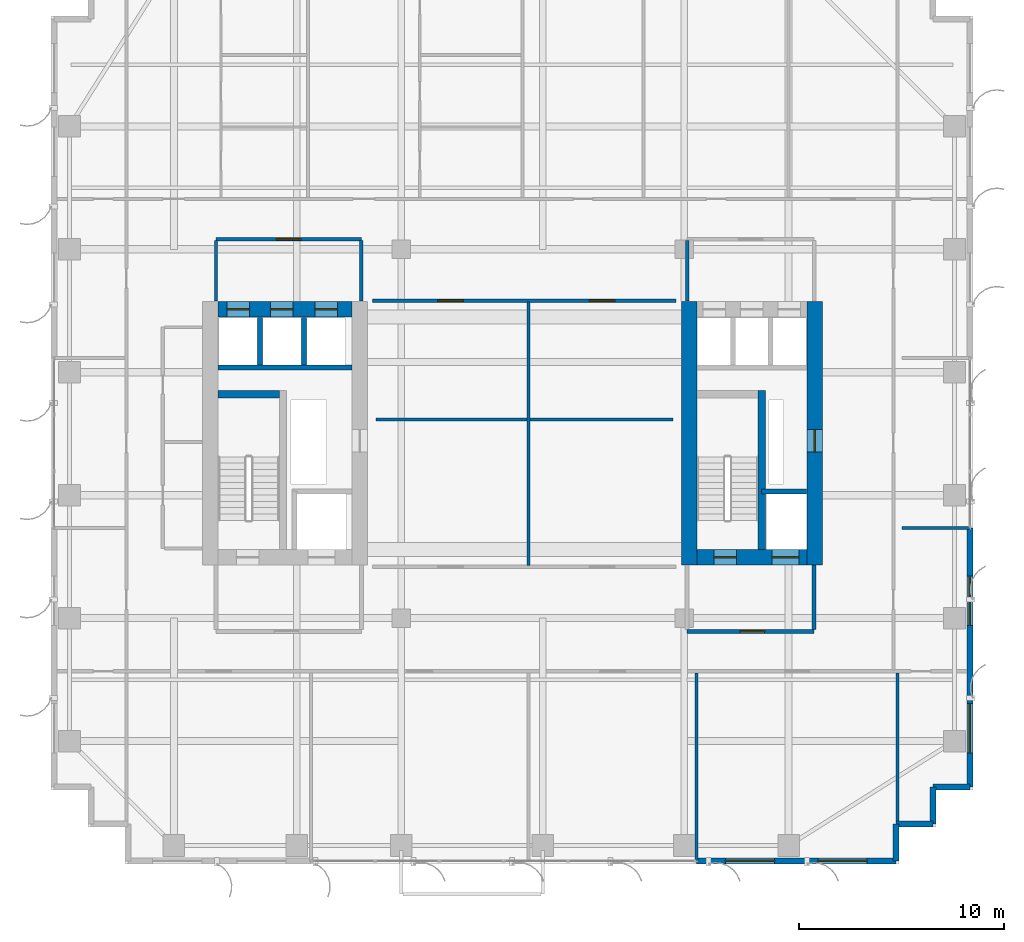
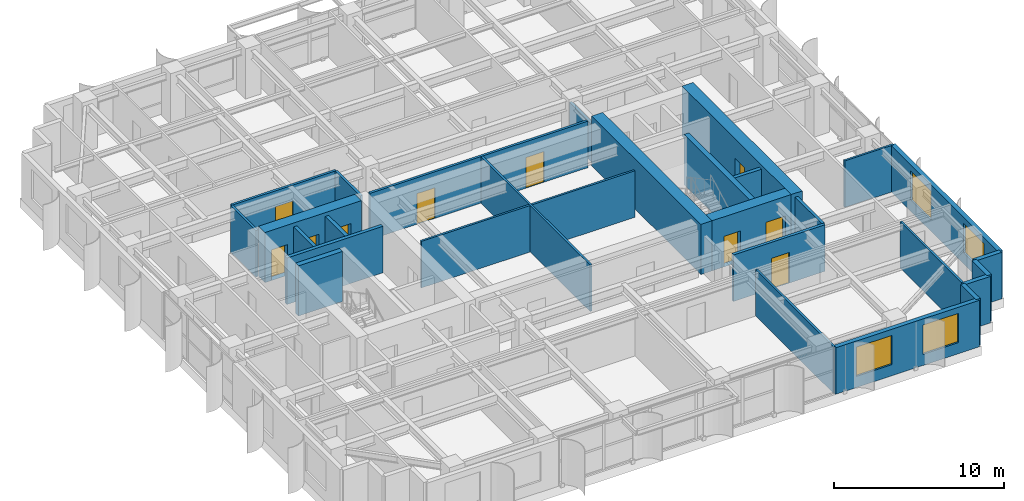
# One storey, part 18 of 23: 28 walls, 10 doors, 4 windows, 14 openings.
"""IFC4 building model written with IfcOpenShell, lengths in metres."""

from ifc_helpers import new_model, si_unit, direction, frame, frame_2d, origin, place, context, subcontext, project, spatial, rectangle, extrude, source, transform, mapped, material, layer, layer_set, type_object, element, fill, save


model = new_model("IFC4")

# Units and contexts
model_context = context("Model", 3, precision=1e-05, world=origin(), true_north=direction((0.0, 1.0)))
body_context = subcontext(model_context, "Body", "Model", "MODEL_VIEW")
ifc_project = project(units=[si_unit("LENGTHUNIT", "METRE"), si_unit("AREAUNIT", "SQUARE_METRE"), si_unit("VOLUMEUNIT", "CUBIC_METRE"), si_unit("PLANEANGLEUNIT", "RADIAN"), si_unit("MASSUNIT", "GRAM", prefix="KILO")], contexts=[model_context])

# Site, building, storey
site_placement = place(None, origin())
site = spatial("IfcSite", under=ifc_project, at=site_placement, CompositionType="ELEMENT")
building_placement = place(site_placement, origin())
building = spatial("IfcBuilding", under=site, at=building_placement, Name="Khoralis Quay Care Tower", CompositionType="ELEMENT")
storey_placement = place(building_placement, frame((0.0, 0.0, 83.699951171875)))
storey = spatial("IfcBuildingStorey", under=building, at=storey_placement, Name="L21", CompositionType="ELEMENT", Elevation=83.699951171875)

# Wall, opening, door
ifc_material_1 = material(Name="Gypsum plasterboard on acoustic metal stud")
ifc_layer_1 = layer(ifc_material_1, 0.199951171875)
ifc_layer_set_1 = layer_set([ifc_layer_1], Name="Gypsum plasterboard on acoustic metal stud")
wall_type_1 = type_object("IfcWallType", Name="WL-COMP-200", PredefinedType="PARTITIONING", material=ifc_layer_set_1)
wall_1_placement = place(storey_placement, frame((31.050048828125, 11.35009765625, 0.0), z_axis=(0.0, 0.0, 1.0), x_axis=(1.0, 0.0, 0.0)))
wall_1 = element("IfcWall", 1, at=wall_1_placement, inside=storey, type_object=wall_type_1, Name="L21 East Firefighting Lobby South Wall", PredefinedType="PARTITIONING", context=body_context, shape_type="SweptSolid", body=[
    extrude(rectangle(XDim=6.199951171875, YDim=0.199951171875, at=frame_2d((3.10009765625, 0.0))), origin(), (0.0, 0.0, 1.0), 3.340087890625),
])
opening_1_placement = place(wall_1_placement, frame((2.585693359375, 0.0, 0.0)))
opening_1 = element("IfcOpeningElement", 2, at=opening_1_placement, cuts=wall_1, Name="Opening FD1", PredefinedType="OPENING", context=body_context, shape_type="SweptSolid", body=[
    extrude(rectangle(XDim=1.199951171875, YDim=2.199951171875, at=frame_2d((0.60009765625, 1.10009765625))), frame((0.0, 0.10986328125, 0.0), z_axis=(0.0, -1.0, 0.0), x_axis=(1.0, 0.0, 0.0)), (0.0, 0.0, 1.0), 0.219970703125),
])
ifc_material_2 = material(Name="Fire-rated painted steel", Category="steel")
door_type_1 = type_object("IfcDoorType", Name="DR-FFL-1200X2200", OperationType="NOTDEFINED", PredefinedType="DOOR", material=ifc_material_2)
shared_shape_1 = source(origin(), body_context, "Body", "SweptSolid", [
    extrude(rectangle(XDim=1.199951171875, YDim=2.199951171875, at=frame_2d((0.60009765625, 1.10009765625))), frame((0.0, 0.02490234375, 0.0), z_axis=(0.0, -1.0, 0.0), x_axis=(1.0, 0.0, 0.0)), (0.0, 0.0, 1.0), 0.050048828125),
])
door_1_placement = place(opening_1_placement, origin())
door_1 = element("IfcDoor", 3, at=door_1_placement, inside=storey, type_object=door_type_1, Name="L21 East Firefighting Lobby Fire Door", OperationType="SINGLE_SWING_RIGHT", OverallHeight=2.199951171875, OverallWidth=1.199951171875, PredefinedType="DOOR", context=body_context, shape_type="MappedRepresentation", body=[
    mapped(shared_shape_1, transform((0.0, 0.0, 0.0), scale=1.0)),
])
fill(opening_1, door_1)

# Wall
wall_2_placement = place(storey_placement, frame((37.25, 11.445068359375, 0.0), z_axis=(0.0, 0.0, 1.0), x_axis=(0.0, 1.0, 0.0)))
element("IfcWall", 4, at=wall_2_placement, inside=storey, type_object=wall_type_1, Name="L21 East Firefighting Lobby East Wall", PredefinedType="PARTITIONING", context=body_context, shape_type="SweptSolid", body=[
    extrude(rectangle(XDim=3.135009765625, YDim=0.199951171875, at=frame_2d((1.5673828125, 0.0))), origin(), (0.0, 0.0, 1.0), 3.340087890625),
])

# Wall, openings, doors
ifc_material_3 = material(Name="Concrete C80/95", Category="concrete")
ifc_layer_2 = layer(ifc_material_3, 0.75)
ifc_layer_set_2 = layer_set([ifc_layer_2], Name="Concrete C80/95")
wall_type_2 = type_object("IfcWallType", Name="WL-CORE-750", PredefinedType="SHEAR", material=ifc_layer_set_2)
wall_3_placement = place(storey_placement, frame((8.14990234375, 27.074951171875, 0.0), z_axis=(0.0, 0.0, 1.0), x_axis=(1.0, 0.0, 0.0)))
wall_3 = element("IfcWall", 5, at=wall_3_placement, inside=storey, type_object=wall_type_2, Name="L21 WCORE North Shear Wall", PredefinedType="SHEAR", context=body_context, shape_type="SweptSolid", body=[
    extrude(rectangle(XDim=6.550048828125, YDim=0.75, at=frame_2d((3.27490234375, 0.0))), origin(), (0.0, 0.0, 1.0), 3.60009765625),
])
opening_2_placement = place(wall_3_placement, frame((0.429931640625, 0.0, 0.0)))
opening_2 = element("IfcOpeningElement", 6, at=opening_2_placement, cuts=wall_3, Name="Opening LD1", PredefinedType="OPENING", context=body_context, shape_type="SweptSolid", body=[
    extrude(rectangle(XDim=1.10009765625, YDim=2.199951171875, at=frame_2d((0.550048828125, 1.10009765625))), frame((0.0, 0.385009765625, 0.0), z_axis=(0.0, -1.0, 0.0), x_axis=(1.0, 0.0, 0.0)), (0.0, 0.0, 1.0), 0.77001953125),
])
opening_3_placement = place(wall_3_placement, frame((2.570068359375, 0.0, 0.0)))
opening_3 = element("IfcOpeningElement", 7, at=opening_3_placement, cuts=wall_3, Name="Opening LD1", PredefinedType="OPENING", context=body_context, shape_type="SweptSolid", body=[
    extrude(rectangle(XDim=1.10009765625, YDim=2.199951171875, at=frame_2d((0.550048828125, 1.10009765625))), frame((0.0, 0.385009765625, 0.0), z_axis=(0.0, -1.0, 0.0), x_axis=(1.0, 0.0, 0.0)), (0.0, 0.0, 1.0), 0.77001953125),
])
opening_4_placement = place(wall_3_placement, frame((4.72998046875, 0.0, 0.0)))
opening_4 = element("IfcOpeningElement", 8, at=opening_4_placement, cuts=wall_3, Name="Opening LD1", PredefinedType="OPENING", context=body_context, shape_type="SweptSolid", body=[
    extrude(rectangle(XDim=1.10009765625, YDim=2.199951171875, at=frame_2d((0.550048828125, 1.10009765625))), frame((0.0, 0.385009765625, 0.0), z_axis=(0.0, -1.0, 0.0), x_axis=(1.0, 0.0, 0.0)), (0.0, 0.0, 1.0), 0.77001953125),
])
ifc_material_4 = material(Name="Brushed stainless steel", Category="steel")
door_type_2 = type_object("IfcDoorType", Name="DR-LIFT-1100X2200", OperationType="SLIDING_TO_LEFT", PredefinedType="DOOR", material=ifc_material_4)
shared_shape_2 = source(origin(), body_context, "Body", "SweptSolid", [
    extrude(rectangle(XDim=1.10009765625, YDim=2.199951171875, at=frame_2d((0.550048828125, 1.10009765625))), frame((0.0, 0.02490234375, 0.0), z_axis=(0.0, -1.0, 0.0), x_axis=(1.0, 0.0, 0.0)), (0.0, 0.0, 1.0), 0.050048828125),
])
door_2_placement = place(opening_2_placement, origin())
door_2 = element("IfcDoor", 9, at=door_2_placement, inside=storey, type_object=door_type_2, Name="L21 Lift PLL1 Landing Door", OperationType="SLIDING_TO_LEFT", OverallHeight=2.199951171875, OverallWidth=1.10009765625, PredefinedType="DOOR", context=body_context, shape_type="MappedRepresentation", body=[
    mapped(shared_shape_2, transform((0.0, 0.0, 0.0), scale=1.0)),
])
fill(opening_2, door_2)
door_3_placement = place(opening_3_placement, origin())
door_3 = element("IfcDoor", 10, at=door_3_placement, inside=storey, type_object=door_type_2, Name="L21 Lift PLM1 Landing Door", OperationType="SLIDING_TO_LEFT", OverallHeight=2.199951171875, OverallWidth=1.10009765625, PredefinedType="DOOR", context=body_context, shape_type="MappedRepresentation", body=[
    mapped(shared_shape_2, transform((0.0, 0.0, 0.0), scale=1.0)),
])
fill(opening_3, door_3)
door_4_placement = place(opening_4_placement, origin())
door_4 = element("IfcDoor", 11, at=door_4_placement, inside=storey, type_object=door_type_2, Name="L21 Lift PLH1 Landing Door", OperationType="SLIDING_TO_LEFT", OverallHeight=2.199951171875, OverallWidth=1.10009765625, PredefinedType="DOOR", context=body_context, shape_type="MappedRepresentation", body=[
    mapped(shared_shape_2, transform((0.0, 0.0, 0.0), scale=1.0)),
])
fill(opening_4, door_4)

# Wall
wall_4_placement = place(storey_placement, frame((31.14501953125, 14.60009765625, 0.0), z_axis=(0.0, 0.0, 1.0), x_axis=(0.0, 1.0, 0.0)))
element("IfcWall", 12, at=wall_4_placement, inside=storey, type_object=wall_type_2, Name="L21 ECORE West Shear Wall", PredefinedType="SHEAR", context=body_context, shape_type="SweptSolid", body=[
    extrude(rectangle(XDim=12.849853515625, YDim=0.75, at=frame_2d((6.4248046875, 0.0))), origin(), (0.0, 0.0, 1.0), 3.60009765625),
])

# Wall, opening, door
wall_5_placement = place(storey_placement, frame((37.27490234375, 14.60009765625, 0.0), z_axis=(0.0, 0.0, 1.0), x_axis=(0.0, 1.0, 0.0)))
wall_5 = element("IfcWall", 13, at=wall_5_placement, inside=storey, type_object=wall_type_2, Name="L21 ECORE East Shear Wall", PredefinedType="SHEAR", context=body_context, shape_type="SweptSolid", body=[
    extrude(rectangle(XDim=12.849853515625, YDim=0.75, at=frame_2d((6.4248046875, 0.0))), origin(), (0.0, 0.0, 1.0), 3.60009765625),
])
opening_5_placement = place(wall_5_placement, frame((5.5, 0.0, 0.0)))
opening_5 = element("IfcOpeningElement", 14, at=opening_5_placement, cuts=wall_5, Name="Opening SD1", PredefinedType="OPENING", context=body_context, shape_type="SweptSolid", body=[
    extrude(rectangle(XDim=1.10009765625, YDim=2.199951171875, at=frame_2d((0.550048828125, 1.10009765625))), frame((0.0, 0.385009765625, 0.0), z_axis=(0.0, -1.0, 0.0), x_axis=(1.0, 0.0, 0.0)), (0.0, 0.0, 1.0), 0.77001953125),
])
door_type_3 = type_object("IfcDoorType", Name="DR-STAIR-1100X2200", OperationType="NOTDEFINED", PredefinedType="DOOR", material=ifc_material_2)
shared_shape_3 = source(origin(), body_context, "Body", "SweptSolid", [
    extrude(rectangle(XDim=1.10009765625, YDim=2.199951171875, at=frame_2d((0.550048828125, 1.10009765625))), frame((0.0, 0.02490234375, 0.0), z_axis=(0.0, -1.0, 0.0), x_axis=(1.0, 0.0, 0.0)), (0.0, 0.0, 1.0), 0.050048828125),
])
door_5_placement = place(opening_5_placement, frame((1.10009765625, 0.0, 0.0), z_axis=(0.0, 0.0, 1.0), x_axis=(-1.0, 0.0, 0.0)))
door_5 = element("IfcDoor", 15, at=door_5_placement, inside=storey, type_object=door_type_3, Name="L21 East MEP Riser Door", OperationType="SINGLE_SWING_RIGHT", OverallHeight=2.199951171875, OverallWidth=1.10009765625, PredefinedType="DOOR", context=body_context, shape_type="MappedRepresentation", body=[
    mapped(shared_shape_3, transform((0.0, 0.0, 0.0), scale=1.0)),
])
fill(opening_5, door_5)

# Wall, openings, doors
wall_6_placement = place(storey_placement, frame((31.52001953125, 14.97509765625, 0.0), z_axis=(0.0, 0.0, 1.0), x_axis=(1.0, 0.0, 0.0)))
wall_6 = element("IfcWall", 16, at=wall_6_placement, inside=storey, type_object=wall_type_2, Name="L21 ECORE South Shear Wall", PredefinedType="SHEAR", context=body_context, shape_type="SweptSolid", body=[
    extrude(rectangle(XDim=5.3798828125, YDim=0.75, at=frame_2d((2.68994140625, 0.0))), origin(), (0.0, 0.0, 1.0), 3.60009765625),
])
opening_6_placement = place(wall_6_placement, frame((0.830078125, 0.0, 0.0)))
opening_6 = element("IfcOpeningElement", 17, at=opening_6_placement, cuts=wall_6, Name="Opening SD1", PredefinedType="OPENING", context=body_context, shape_type="SweptSolid", body=[
    extrude(rectangle(XDim=1.10009765625, YDim=2.199951171875, at=frame_2d((0.550048828125, 1.10009765625))), frame((0.0, 0.385009765625, 0.0), z_axis=(0.0, -1.0, 0.0), x_axis=(1.0, 0.0, 0.0)), (0.0, 0.0, 1.0), 0.77001953125),
])
opening_7_placement = place(wall_6_placement, frame((3.679931640625, 0.0, 0.0)))
opening_7 = element("IfcOpeningElement", 18, at=opening_7_placement, cuts=wall_6, Name="Opening LD2", PredefinedType="OPENING", context=body_context, shape_type="SweptSolid", body=[
    extrude(rectangle(XDim=1.300048828125, YDim=2.199951171875, at=frame_2d((0.64990234375, 1.10009765625))), frame((0.0, 0.385009765625, 0.0), z_axis=(0.0, -1.0, 0.0), x_axis=(1.0, 0.0, 0.0)), (0.0, 0.0, 1.0), 0.77001953125),
])
door_6_placement = place(opening_6_placement, origin())
door_6 = element("IfcDoor", 19, at=door_6_placement, inside=storey, type_object=door_type_3, Name="L21 Stair ST-T2 Fire Door", OperationType="SINGLE_SWING_RIGHT", OverallHeight=2.199951171875, OverallWidth=1.10009765625, PredefinedType="DOOR", context=body_context, shape_type="MappedRepresentation", body=[
    mapped(shared_shape_3, transform((0.0, 0.0, 0.0), scale=1.0)),
])
fill(opening_6, door_6)
door_type_4 = type_object("IfcDoorType", Name="DR-LIFT-1300X2200", OperationType="SLIDING_TO_RIGHT", PredefinedType="DOOR", material=ifc_material_4)
shared_shape_4 = source(origin(), body_context, "Body", "SweptSolid", [
    extrude(rectangle(XDim=1.300048828125, YDim=2.199951171875, at=frame_2d((0.64990234375, 1.10009765625))), frame((0.0, 0.02490234375, 0.0), z_axis=(0.0, -1.0, 0.0), x_axis=(1.0, 0.0, 0.0)), (0.0, 0.0, 1.0), 0.050048828125),
])
door_7_placement = place(opening_7_placement, origin())
door_7 = element("IfcDoor", 20, at=door_7_placement, inside=storey, type_object=door_type_4, Name="L21 Firefighting Lift FFL-2 Landing Door", OperationType="SLIDING_TO_RIGHT", OverallHeight=2.199951171875, OverallWidth=1.300048828125, PredefinedType="DOOR", context=body_context, shape_type="MappedRepresentation", body=[
    mapped(shared_shape_4, transform((0.0, 0.0, 0.0), scale=1.0)),
])
fill(opening_7, door_7)

# Wall, opening, door
ifc_layer_3 = layer(ifc_material_1, 0.1650390625)
ifc_layer_set_3 = layer_set([ifc_layer_3], Name="Gypsum plasterboard on acoustic metal stud")
wall_type_3 = type_object("IfcWallType", Name="WL-CORR-165", PredefinedType="PARTITIONING", material=ifc_layer_set_3)
wall_7_placement = place(storey_placement, frame((8.050048828125, 30.5, 0.0), z_axis=(0.0, 0.0, 1.0), x_axis=(1.0, 0.0, 0.0)))
wall_7 = element("IfcWall", 21, at=wall_7_placement, inside=storey, type_object=wall_type_3, Name="L21 West Lift Lobby North Wall", PredefinedType="PARTITIONING", context=body_context, shape_type="SweptSolid", body=[
    extrude(rectangle(XDim=7.099853515625, YDim=0.1650390625, at=frame_2d((3.5498046875, 0.0))), origin(), (0.0, 0.0, 1.0), 3.340087890625),
])
opening_8_placement = place(wall_7_placement, frame((2.949951171875, 0.0, 0.0)))
opening_8 = element("IfcOpeningElement", 22, at=opening_8_placement, cuts=wall_7, Name="Opening FD1", PredefinedType="OPENING", context=body_context, shape_type="SweptSolid", body=[
    extrude(rectangle(XDim=1.199951171875, YDim=2.199951171875, at=frame_2d((0.60009765625, 1.10009765625))), frame((0.0, 0.092529296875, 0.0), z_axis=(0.0, -1.0, 0.0), x_axis=(1.0, 0.0, 0.0)), (0.0, 0.0, 1.0), 0.18505859375),
])
door_8_placement = place(opening_8_placement, origin())
door_8 = element("IfcDoor", 23, at=door_8_placement, inside=storey, type_object=door_type_1, Name="L21 West Lift Lobby Double Door", OperationType="DOUBLE_DOOR_SINGLE_SWING", OverallHeight=2.199951171875, OverallWidth=1.199951171875, PredefinedType="DOOR", context=body_context, shape_type="MappedRepresentation", body=[
    mapped(shared_shape_1, transform((0.0, 0.0, 0.0), scale=1.0)),
])
fill(opening_8, door_8)

# Walls
for number, where, z_axis, x_axis, name in (
    (24, (8.050048828125, 27.469970703125, 0.0), (0.0, 0.0, 1.0), (0.0, 1.0, 0.0), "L21 West Lift Lobby West Wall"),
    (25, (15.14990234375, 27.469970703125, 0.0), (0.0, 0.0, 1.0), (0.0, 1.0, 0.0), "L21 West Lift Lobby East Wall"),
):
    element("IfcWall", number, at=place(storey_placement, frame(where, z_axis=z_axis, x_axis=x_axis)), inside=storey, type_object=wall_type_3, Name=name, PredefinedType="PARTITIONING", context=body_context, shape_type="SweptSolid", body=[
        extrude(rectangle(XDim=2.95263671875, YDim=0.1650390625, at=frame_2d((1.476318359375, 0.0))), origin(), (0.0, 0.0, 1.0), 3.340087890625),
    ])
wall_8_placement = place(storey_placement, frame((31.050048828125, 27.469970703125, 0.0), z_axis=(0.0, 0.0, 1.0), x_axis=(0.0, 1.0, 0.0)))
element("IfcWall", 26, at=wall_8_placement, inside=storey, type_object=wall_type_3, Name="L21 East Lift Lobby West Wall", PredefinedType="PARTITIONING", context=body_context, shape_type="SweptSolid", body=[
    extrude(rectangle(XDim=2.95263671875, YDim=0.1650390625, at=frame_2d((1.476318359375, 0.0))), origin(), (0.0, 0.0, 1.0), 2.72412109375),
])

# Wall, openings, doors
wall_9_placement = place(storey_placement, frame((15.699951171875, 27.5, 0.0), z_axis=(0.0, 0.0, 1.0), x_axis=(1.0, 0.0, 0.0)))
wall_9 = element("IfcWall", 27, at=wall_9_placement, inside=storey, type_object=wall_type_3, Name="L21 Central Clinical North Wall", PredefinedType="PARTITIONING", context=body_context, shape_type="SweptSolid", body=[
    extrude(rectangle(XDim=14.800048828125, YDim=0.1650390625, at=frame_2d((7.39990234375, 0.0))), origin(), (0.0, 0.0, 1.0), 3.340087890625),
])
opening_9_placement = place(wall_9_placement, frame((3.175048828125, 0.0, 0.0)))
opening_9 = element("IfcOpeningElement", 28, at=opening_9_placement, cuts=wall_9, Name="Opening CD1", PredefinedType="OPENING", context=body_context, shape_type="SweptSolid", body=[
    extrude(rectangle(XDim=1.25, YDim=2.199951171875, at=frame_2d((0.625, 1.10009765625))), frame((0.0, 0.092529296875, 0.0), z_axis=(0.0, -1.0, 0.0), x_axis=(1.0, 0.0, 0.0)), (0.0, 0.0, 1.0), 0.18505859375),
])
opening_10_placement = place(wall_9_placement, frame((10.574951171875, 0.0, 0.0)))
opening_10 = element("IfcOpeningElement", 29, at=opening_10_placement, cuts=wall_9, Name="Opening CD1", PredefinedType="OPENING", context=body_context, shape_type="SweptSolid", body=[
    extrude(rectangle(XDim=1.25, YDim=2.199951171875, at=frame_2d((0.625, 1.10009765625))), frame((0.0, 0.092529296875, 0.0), z_axis=(0.0, -1.0, 0.0), x_axis=(1.0, 0.0, 0.0)), (0.0, 0.0, 1.0), 0.18505859375),
])
ifc_material_5 = material(Name="Acoustic hardwood timber", Category="wood")
door_type_5 = type_object("IfcDoorType", Name="DR-CARE-1250X2200", OperationType="NOTDEFINED", PredefinedType="DOOR", material=ifc_material_5)
shared_shape_5 = source(origin(), body_context, "Body", "SweptSolid", [
    extrude(rectangle(XDim=1.25, YDim=2.199951171875, at=frame_2d((0.625, 1.10009765625))), frame((0.0, 0.02490234375, 0.0), z_axis=(0.0, -1.0, 0.0), x_axis=(1.0, 0.0, 0.0)), (0.0, 0.0, 1.0), 0.050048828125),
])
door_9_placement = place(opening_9_placement, frame((1.25, 0.0, 0.0), z_axis=(0.0, 0.0, 1.0), x_axis=(-1.0, 0.0, 0.0)))
door_9 = element("IfcDoor", 30, at=door_9_placement, inside=storey, type_object=door_type_5, Name="L21 Library Lounge Door", OperationType="SINGLE_SWING_LEFT", OverallHeight=2.199951171875, OverallWidth=1.25, PredefinedType="DOOR", context=body_context, shape_type="MappedRepresentation", body=[
    mapped(shared_shape_5, transform((0.0, 0.0, 0.0), scale=1.0)),
])
fill(opening_9, door_9)
door_10_placement = place(opening_10_placement, frame((1.25, 0.0, 0.0), z_axis=(0.0, 0.0, 1.0), x_axis=(-1.0, 0.0, 0.0)))
door_10 = element("IfcDoor", 31, at=door_10_placement, inside=storey, type_object=door_type_5, Name="L21 Occupational Therapy Door", OperationType="SINGLE_SWING_RIGHT", OverallHeight=2.199951171875, OverallWidth=1.25, PredefinedType="DOOR", context=body_context, shape_type="MappedRepresentation", body=[
    mapped(shared_shape_5, transform((0.0, 0.0, 0.0), scale=1.0)),
])
fill(opening_10, door_10)

# Wall, openings, windows
ifc_material_6 = material(Name="Precast concrete C45/55", Category="concrete")
ifc_layer_4 = layer(ifc_material_6, 0.300048828125)
ifc_layer_set_4 = layer_set([ifc_layer_4], Name="Precast concrete C45/55")
wall_type_4 = type_object("IfcWallType", Name="WL-EXT-REF-300", PredefinedType="SOLIDWALL", material=ifc_layer_set_4)
wall_10_placement = place(storey_placement, frame((31.5, 0.14990234375, 0.0), z_axis=(0.0, 0.0, 1.0), x_axis=(1.0, 0.0, 0.0)))
wall_10 = element("IfcWall", 32, at=wall_10_placement, inside=storey, type_object=wall_type_4, Name="L21 External Facade Wall WL-EXT-L21-P1-E0B", PredefinedType="SOLIDWALL", context=body_context, shape_type="SweptSolid", body=[
    extrude(rectangle(XDim=9.75, YDim=0.300048828125, at=frame_2d((4.875, 0.0))), origin(), (0.0, 0.0, 1.0), 3.340087890625),
])
opening_11_placement = place(wall_10_placement, frame((1.41748046875, 0.0, 0.800048828125)))
opening_11 = element("IfcOpeningElement", 33, at=opening_11_placement, cuts=wall_10, Name="Opening W1", PredefinedType="OPENING", context=body_context, shape_type="SweptSolid", body=[
    extrude(rectangle(XDim=2.39990234375, YDim=2.10009765625, at=frame_2d((1.199951171875, 1.050048828125))), frame((0.0, 0.16015625, 0.0), z_axis=(0.0, -1.0, 0.0), x_axis=(1.0, 0.0, 0.0)), (0.0, 0.0, 1.0), 0.320068359375),
])
opening_12_placement = place(wall_10_placement, frame((5.9326171875, 0.0, 0.800048828125)))
opening_12 = element("IfcOpeningElement", 34, at=opening_12_placement, cuts=wall_10, Name="Opening W1", PredefinedType="OPENING", context=body_context, shape_type="SweptSolid", body=[
    extrude(rectangle(XDim=2.39990234375, YDim=2.10009765625, at=frame_2d((1.199951171875, 1.050048828125))), frame((0.0, 0.16015625, 0.0), z_axis=(0.0, -1.0, 0.0), x_axis=(1.0, 0.0, 0.0)), (0.0, 0.0, 1.0), 0.320068359375),
])
ifc_material_7 = material(Name="Low-E solar-control double glazing", Category="glass")
window_type = type_object("IfcWindowType", Name="WN-POD-2400X2100", PartitioningType="SINGLE_PANEL", PredefinedType="WINDOW", material=ifc_material_7)
shared_shape_6 = source(origin(), body_context, "Body", "SweptSolid", [
    extrude(rectangle(XDim=2.39990234375, YDim=2.10009765625, at=frame_2d((1.199951171875, 1.050048828125))), frame((0.0, 0.030029296875, 0.0), z_axis=(0.0, -1.0, 0.0), x_axis=(1.0, 0.0, 0.0)), (0.0, 0.0, 1.0), 0.06005859375),
])
window_1_placement = place(opening_11_placement, origin())
window_1 = element("IfcWindow", 35, at=window_1_placement, inside=storey, type_object=window_type, Name="WN-L21-P1-E0B Facade Window 01", OverallHeight=2.10009765625, OverallWidth=2.39990234375, PartitioningType="SINGLE_PANEL", PredefinedType="WINDOW", context=body_context, shape_type="MappedRepresentation", body=[
    mapped(shared_shape_6, transform((0.0, 0.0, 0.0), scale=1.0)),
])
fill(opening_11, window_1)
window_2_placement = place(opening_12_placement, origin())
window_2 = element("IfcWindow", 36, at=window_2_placement, inside=storey, type_object=window_type, Name="WN-L21-P1-E0B Facade Window 02", OverallHeight=2.10009765625, OverallWidth=2.39990234375, PartitioningType="SINGLE_PANEL", PredefinedType="WINDOW", context=body_context, shape_type="MappedRepresentation", body=[
    mapped(shared_shape_6, transform((0.0, 0.0, 0.0), scale=1.0)),
])
fill(opening_12, window_2)

# Walls
for number, where, z_axis, x_axis, name in (
    (37, (41.25, 0.14990234375, 0.0), (0.0, 0.0, 1.0), (0.0, 1.0, 0.0), "L21 External Facade Wall WL-EXT-L21-P1-C1"),
    (38, (41.25, 1.949951171875, 0.0), (0.0, 0.0, 1.0), (1.0, 0.0, 0.0), "L21 External Facade Wall WL-EXT-L21-P1-C2"),
    (39, (43.050048828125, 1.949951171875, 0.0), (0.0, 0.0, 1.0), (0.0, 1.0, 0.0), "L21 External Facade Wall WL-EXT-L21-P1-C3"),
    (40, (43.050048828125, 3.75, 0.0), (0.0, 0.0, 1.0), (1.0, 0.0, 0.0), "L21 External Facade Wall WL-EXT-L21-P1-C4"),
):
    element("IfcWall", number, at=place(storey_placement, frame(where, z_axis=z_axis, x_axis=x_axis)), inside=storey, type_object=wall_type_4, Name=name, PredefinedType="SOLIDWALL", context=body_context, shape_type="SweptSolid", body=[
        extrude(rectangle(XDim=1.800048828125, YDim=0.300048828125, at=frame_2d((0.89990234375, 0.0))), origin(), (0.0, 0.0, 1.0), 3.340087890625),
    ])

# Wall, openings, windows
wall_11_placement = place(storey_placement, frame((44.85009765625, 3.75, 0.0), z_axis=(0.0, 0.0, 1.0), x_axis=(0.0, 1.0, 0.0)))
wall_11 = element("IfcWall", 41, at=wall_11_placement, inside=storey, type_object=wall_type_4, Name="L21 External Facade Wall WL-EXT-L21-P1-E5A", PredefinedType="SOLIDWALL", context=body_context, shape_type="SweptSolid", body=[
    extrude(rectangle(XDim=12.64990234375, YDim=0.300048828125, at=frame_2d((6.324951171875, 0.0))), origin(), (0.0, 0.0, 1.0), 3.340087890625),
])
opening_13_placement = place(wall_11_placement, frame((1.675048828125, 0.0, 0.800048828125)))
opening_13 = element("IfcOpeningElement", 42, at=opening_13_placement, cuts=wall_11, Name="Opening W1", PredefinedType="OPENING", context=body_context, shape_type="SweptSolid", body=[
    extrude(rectangle(XDim=2.39990234375, YDim=2.10009765625, at=frame_2d((1.199951171875, 1.050048828125))), frame((0.0, 0.16015625, 0.0), z_axis=(0.0, -1.0, 0.0), x_axis=(1.0, 0.0, 0.0)), (0.0, 0.0, 1.0), 0.320068359375),
])
opening_14_placement = place(wall_11_placement, frame((7.89990234375, 0.0, 0.800048828125)))
opening_14 = element("IfcOpeningElement", 43, at=opening_14_placement, cuts=wall_11, Name="Opening W1", PredefinedType="OPENING", context=body_context, shape_type="SweptSolid", body=[
    extrude(rectangle(XDim=2.39990234375, YDim=2.10009765625, at=frame_2d((1.199951171875, 1.050048828125))), frame((0.0, 0.16015625, 0.0), z_axis=(0.0, -1.0, 0.0), x_axis=(1.0, 0.0, 0.0)), (0.0, 0.0, 1.0), 0.320068359375),
])
window_3_placement = place(opening_13_placement, origin())
window_3 = element("IfcWindow", 44, at=window_3_placement, inside=storey, type_object=window_type, Name="WN-L21-P1-E5A Facade Window 01", OverallHeight=2.10009765625, OverallWidth=2.39990234375, PartitioningType="SINGLE_PANEL", PredefinedType="WINDOW", context=body_context, shape_type="MappedRepresentation", body=[
    mapped(shared_shape_6, transform((0.0, 0.0, 0.0), scale=1.0)),
])
fill(opening_13, window_3)
window_4_placement = place(opening_14_placement, origin())
window_4 = element("IfcWindow", 45, at=window_4_placement, inside=storey, type_object=window_type, Name="WN-L21-P1-E5A Facade Window 02", OverallHeight=2.10009765625, OverallWidth=2.39990234375, PartitioningType="SINGLE_PANEL", PredefinedType="WINDOW", context=body_context, shape_type="MappedRepresentation", body=[
    mapped(shared_shape_6, transform((0.0, 0.0, 0.0), scale=1.0)),
])
fill(opening_14, window_4)

# Walls
ifc_material_8 = material(Name="Concrete C40/50", Category="concrete")
ifc_layer_5 = layer(ifc_material_8, 0.35009765625)
ifc_layer_set_5 = layer_set([ifc_layer_5], Name="Concrete C40/50")
wall_type_5 = type_object("IfcWallType", Name="WL-SC-CORE-350", PredefinedType="SHEAR", material=ifc_layer_set_5)
wall_12_placement = place(storey_placement, frame((8.14990234375, 22.925048828125, 0.0), z_axis=(0.0, 0.0, 1.0), x_axis=(1.0, 0.0, 0.0)))
element("IfcWall", 46, at=wall_12_placement, inside=storey, type_object=wall_type_5, Name="L21 Stair ST-T1 Shear Baffle Wall North", PredefinedType="SHEAR", context=body_context, shape_type="SweptSolid", body=[
    extrude(rectangle(XDim=3.0, YDim=0.35009765625, at=frame_2d((1.5, 0.0))), origin(), (0.0, 0.0, 1.0), 3.60009765625),
])
wall_13_placement = place(storey_placement, frame((34.695068359375, 15.35009765625, 0.0), z_axis=(0.0, 0.0, 1.0), x_axis=(0.0, 1.0, 0.0)))
element("IfcWall", 47, at=wall_13_placement, inside=storey, type_object=wall_type_5, Name="L21 Stair ST-T2 Shear Baffle Wall East", PredefinedType="SHEAR", context=body_context, shape_type="SweptSolid", body=[
    extrude(rectangle(XDim=7.75, YDim=0.35009765625, at=frame_2d((3.875, 0.0))), origin(), (0.0, 0.0, 1.0), 3.60009765625),
])
ifc_layer_6 = layer(ifc_material_1, 0.239990234375)
ifc_layer_set_6 = layer_set([ifc_layer_6], Name="Gypsum plasterboard on acoustic metal stud")
wall_type_6 = type_object("IfcWallType", Name="WL-SHAFT-240", PredefinedType="PARTITIONING", material=ifc_layer_set_6)
wall_14_placement = place(storey_placement, frame((34.679931640625, 18.169921875, 0.0), z_axis=(0.0, 0.0, 1.0), x_axis=(1.0, 0.0, 0.0)))
element("IfcWall", 48, at=wall_14_placement, inside=storey, type_object=wall_type_6, Name="L21 FFL-2 Shaft Wall North", PredefinedType="PARTITIONING", context=body_context, shape_type="SweptSolid", body=[
    extrude(rectangle(XDim=2.199951171875, YDim=0.239990234375, at=frame_2d((1.10009765625, 0.0))), origin(), (0.0, 0.0, 1.0), 3.340087890625),
])
wall_15_placement = place(storey_placement, frame((8.14990234375, 24.22998046875, 0.0), z_axis=(0.0, 0.0, 1.0), x_axis=(1.0, 0.0, 0.0)))
element("IfcWall", 49, at=wall_15_placement, inside=storey, type_object=wall_type_6, Name="L21 West Passenger Shaft South Wall", PredefinedType="PARTITIONING", context=body_context, shape_type="SweptSolid", body=[
    extrude(rectangle(XDim=6.530029296875, YDim=0.239990234375, at=frame_2d((3.26513671875, 0.0))), origin(), (0.0, 0.0, 1.0), 3.340087890625),
])
for number, where, z_axis, x_axis, name in (
    (50, (10.199951171875, 24.344970703125, 0.0), (0.0, 0.0, 1.0), (0.0, 1.0, 0.0), "L21 West Shaft Divider 1"),
    (51, (12.35009765625, 24.344970703125, 0.0), (0.0, 0.0, 1.0), (0.0, 1.0, 0.0), "L21 West Shaft Divider 2"),
):
    element("IfcWall", number, at=place(storey_placement, frame(where, z_axis=z_axis, x_axis=x_axis)), inside=storey, type_object=wall_type_6, Name=name, PredefinedType="PARTITIONING", context=body_context, shape_type="SweptSolid", body=[
        extrude(rectangle(XDim=2.3349609375, YDim=0.239990234375, at=frame_2d((1.16748046875, 0.0))), origin(), (0.0, 0.0, 1.0), 3.340087890625),
    ])
ifc_layer_7 = layer(ifc_material_1, 0.139892578125)
ifc_layer_set_7 = layer_set([ifc_layer_7], Name="Gypsum plasterboard on acoustic metal stud")
wall_type_7 = type_object("IfcWallType", Name="WL-UNIT-140", PredefinedType="PARTITIONING", material=ifc_layer_set_7)
wall_16_placement = place(storey_placement, frame((41.5400390625, 16.39990234375, 0.0), z_axis=(0.0, 0.0, 1.0), x_axis=(1.0, 0.0, 0.0)))
element("IfcWall", 52, at=wall_16_placement, inside=storey, type_object=wall_type_7, Name="L21 EE Divider 1", PredefinedType="PARTITIONING", context=body_context, shape_type="SweptSolid", body=[
    extrude(rectangle(XDim=3.31494140625, YDim=0.139892578125, at=frame_2d((1.657470703125, 0.0))), origin(), (0.0, 0.0, 1.0), 3.340087890625),
])
wall_17_placement = place(storey_placement, frame((23.300048828125, 14.577392578125, 0.0), z_axis=(0.0, 0.0, 1.0), x_axis=(0.0, 1.0, 0.0)))
element("IfcWall", 53, at=wall_17_placement, inside=storey, type_object=wall_type_7, Name="L21 Central Split V", PredefinedType="PARTITIONING", context=body_context, shape_type="SweptSolid", body=[
    extrude(rectangle(XDim=12.84521484375, YDim=0.139892578125, at=frame_2d((6.422607421875, 0.0))), origin(), (0.0, 0.0, 1.0), 3.340087890625),
])
wall_18_placement = place(storey_placement, frame((15.85009765625, 21.699951171875, 0.0), z_axis=(0.0, 0.0, 1.0), x_axis=(1.0, 0.0, 0.0)))
element("IfcWall", 54, at=wall_18_placement, inside=storey, type_object=wall_type_7, Name="L21 Central Split H", PredefinedType="PARTITIONING", context=body_context, shape_type="SweptSolid", body=[
    extrude(rectangle(XDim=14.5, YDim=0.139892578125, at=frame_2d((7.25, 0.0))), origin(), (0.0, 0.0, 1.0), 3.340087890625),
])
wall_19_placement = place(storey_placement, frame((31.5, 0.14501953125, 0.0), z_axis=(0.0, 0.0, 1.0), x_axis=(0.0, 1.0, 0.0)))
element("IfcWall", 55, at=wall_19_placement, inside=storey, type_object=wall_type_7, Name="L21 SB Demising Wall 3", PredefinedType="PARTITIONING", context=body_context, shape_type="SweptSolid", body=[
    extrude(rectangle(XDim=9.177490234375, YDim=0.139892578125, at=frame_2d((4.5888671875, 0.0))), origin(), (0.0, 0.0, 1.0), 3.340087890625),
])
wall_20_placement = place(storey_placement, frame((41.320068359375, 1.945068359375, 0.0), z_axis=(0.0, 0.0, 1.0), x_axis=(0.0, 1.0, 0.0)))
element("IfcWall", 56, at=wall_20_placement, inside=storey, type_object=wall_type_7, Name="L21 SB Demising Wall 4", PredefinedType="PARTITIONING", context=body_context, shape_type="SweptSolid", body=[
    extrude(rectangle(XDim=7.37744140625, YDim=0.139892578125, at=frame_2d((3.688720703125, 0.0))), origin(), (0.0, 0.0, 1.0), 3.340087890625),
])

save(model, "model.ifc")
